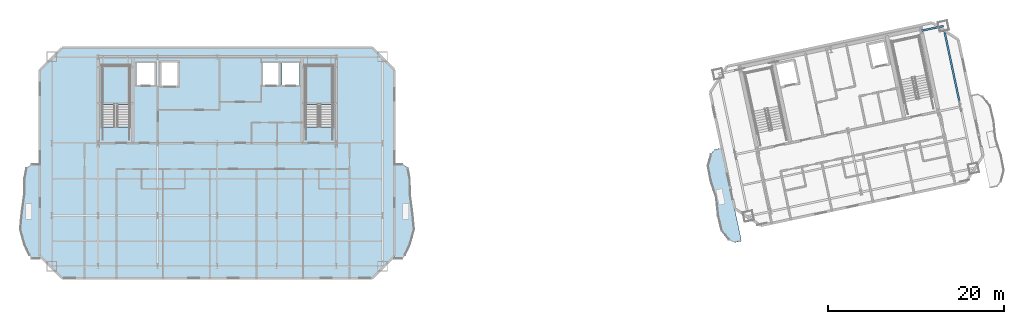
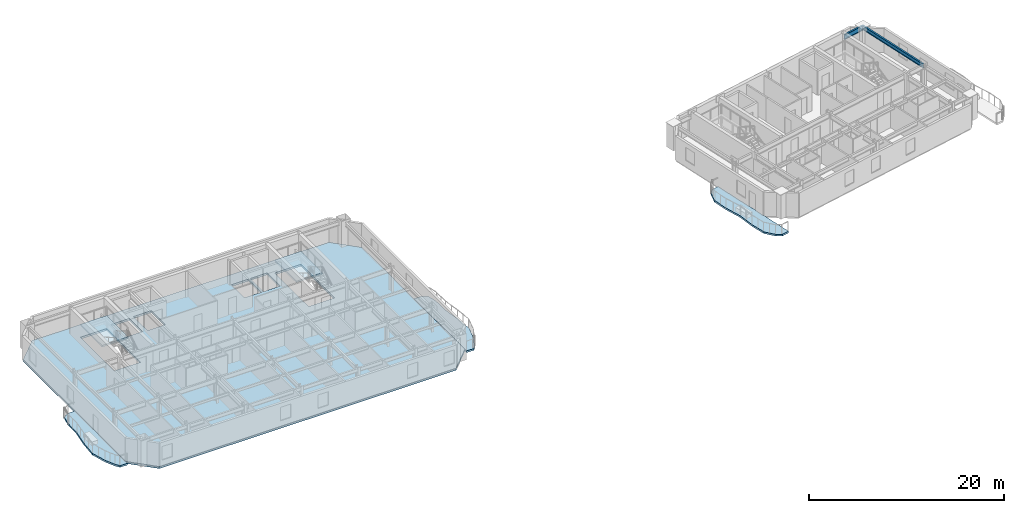
# One storey, part 4 of 14: 6 slabs, 2 beams, 2 elements without a shape of their own.
"""IFC4 building model written with IfcOpenShell, lengths in metres."""

from ifc_helpers import new_model, si_unit, direction, frame, origin, origin_2d, place, context, subcontext, project, spatial, polyline, i_section, outline, extrude, material, layer, layer_set, material_profile, profile_set, type_object, element, aggregate, save


model = new_model("IFC4")

# Units and contexts
model_context = context("Model", 3, precision=1e-05, world=origin(), true_north=direction((0.0, 1.0)))
body_context = subcontext(model_context, "Body", "Model", "MODEL_VIEW")
ifc_project = project(units=[si_unit("LENGTHUNIT", "METRE"), si_unit("AREAUNIT", "SQUARE_METRE"), si_unit("VOLUMEUNIT", "CUBIC_METRE"), si_unit("PLANEANGLEUNIT", "RADIAN"), si_unit("MASSUNIT", "GRAM", prefix="KILO")], contexts=[model_context])

# Site, building, storey
site_placement = place(None, origin())
site = spatial("IfcSite", under=ifc_project, at=site_placement, CompositionType="ELEMENT")
building_placement = place(site_placement, origin())
building = spatial("IfcBuilding", under=site, at=building_placement, Name="Haevon Station Towers", CompositionType="ELEMENT")
storey_placement = place(building_placement, frame((0.0, 0.0, 231.89990234375)))
storey = spatial("IfcBuildingStorey", under=building, at=storey_placement, Name="L64", CompositionType="ELEMENT", Elevation=231.89990234375)

# Beams
ifc_material_1 = material(Name="Steel S355", Category="steel")
ifc_material_profile_1 = material_profile(ifc_material_1, i_section(OverallWidth=0.199951171875, OverallDepth=0.60009765625, WebThickness=0.010986328125, FlangeThickness=0.01708984375, at=origin_2d()), Name="H-600x200x11x17")
ifc_profile_set_1 = profile_set([ifc_material_profile_1], Name="Steel S355")
beam_type_1 = type_object("IfcBeamType", Name="BM-G600", PredefinedType="BEAM", material=ifc_profile_set_1)
beam_1_placement = place(storey_placement, frame((117.349365234375, 50.954345703125, 2.75), z_axis=(0.978161040728, 0.207848450565, 0.0), x_axis=(-0.207848450565, 0.978161040728, 0.0)))
element("IfcBeam", 1, at=beam_1_placement, inside=storey, type_object=beam_type_1, Name="BM-T2U-L64-03-04", PredefinedType="BEAM", context=body_context, shape_type="SweptSolid", body=[
    extrude(i_section(OverallWidth=0.199951171875, OverallDepth=0.60009765625, WebThickness=0.010986328125, FlangeThickness=0.01708984375, at=origin_2d()), origin(), (0.0, 0.0, 1.0), 2.550048828125),
])
ifc_material_profile_2 = material_profile(ifc_material_1, i_section(OverallWidth=0.199951171875, OverallDepth=0.5, WebThickness=0.010009765625, FlangeThickness=0.01611328125, at=origin_2d()), Name="H-500x200x10x16")
ifc_profile_set_2 = profile_set([ifc_material_profile_2], Name="Steel S355")
beam_type_2 = type_object("IfcBeamType", Name="BM-SP500", PredefinedType="SPANDREL", material=ifc_profile_set_2)
beam_2_placement = place(storey_placement, frame((121.787841796875, 42.338623046875, 2.800048828125), z_axis=(-0.207922149488, 0.978145377616, 0.0), x_axis=(-0.978145377616, -0.207922149488, 0.0)))
element("IfcBeam", 2, at=beam_2_placement, inside=storey, type_object=beam_type_2, Name="BM-T2V-L64-05-02", PredefinedType="SPANDREL", context=body_context, shape_type="SweptSolid", body=[
    extrude(i_section(OverallWidth=0.199951171875, OverallDepth=0.5, WebThickness=0.010009765625, FlangeThickness=0.01611328125, at=origin_2d()), origin(), (0.0, 0.0, 1.0), 9.35009765625),
])

# Slabs
ifc_material_2 = material(Name="Concrete C40/50", Category="concrete")
ifc_layer_1 = layer(ifc_material_2, 0.219970703125)
ifc_layer_set_1 = layer_set([ifc_layer_1], Name="Concrete C40/50")
slab_type_1 = type_object("IfcSlabType", Name="SL-BALC220", PredefinedType="FLOOR", material=ifc_layer_set_1)
slab_1_placement = place(storey_placement, frame((0.0, 0.0, -0.219970703125)))
element("IfcSlab", 3, at=slab_1_placement, inside=storey, type_object=slab_type_1, Name="Tower 1 L64 West SCALLOPED BALCONY", PredefinedType="FLOOR", context=body_context, shape_type="SweptSolid", body=[
    extrude(outline(polyline([(17.39501953125, 35.85009765625), (16.512939453125, 35.85009765625), (15.884033203125, 35.43896484375), (15.65185546875, 34.268310546875), (15.63037109375, 32.5166015625), (15.294921875, 30.449951171875), (15.145263671875, 28.383544921875), (15.65185546875, 26.631591796875), (16.209716796875, 25.4609375), (16.512939453125, 25.050048828125), (17.39501953125, 25.050048828125), (17.39501953125, 35.85009765625)])), origin(), (0.0, 0.0, 1.0), 0.219970703125),
])
slab_2_placement = place(storey_placement, frame((0.0, 0.0, -0.219970703125)))
element("IfcSlab", 4, at=slab_2_placement, inside=storey, type_object=slab_type_1, Name="Tower 1 L64 East SCALLOPED BALCONY", PredefinedType="FLOOR", context=body_context, shape_type="SweptSolid", body=[
    extrude(outline(polyline([(57.60498046875, 25.050048828125), (58.487060546875, 25.050048828125), (58.790283203125, 25.4609375), (59.34814453125, 26.631591796875), (59.854736328125, 28.383544921875), (59.705078125, 30.449951171875), (59.36962890625, 32.5166015625), (59.34814453125, 34.268310546875), (59.115966796875, 35.43896484375), (58.487060546875, 35.85009765625), (57.60498046875, 35.85009765625), (57.60498046875, 25.050048828125)])), origin(), (0.0, 0.0, 1.0), 0.219970703125),
])
slab_3_placement = place(storey_placement, frame((0.0, 0.0, -0.219970703125)))
element("IfcSlab", 5, at=slab_3_placement, inside=storey, type_object=slab_type_1, Name="Tower 2 L64 West SCALLOPED BALCONY", PredefinedType="FLOOR", context=body_context, shape_type="SweptSolid", body=[
    extrude(outline(polyline([(94.71337890625, 37.662353515625), (93.8818359375, 37.48583984375), (93.480224609375, 36.980224609375), (93.130859375, 35.709228515625), (93.44287109375, 33.984375), (94.0302734375, 31.99658203125), (94.30224609375, 29.94189453125), (94.71875, 28.2392578125), (95.5546875, 27.22021484375), (96.12744140625, 26.921630859375), (96.958740234375, 27.098388671875), (94.71337890625, 37.662353515625)])), origin(), (0.0, 0.0, 1.0), 0.219970703125),
])

# Stair, slab
stair_type = type_object("IfcStairType", Name="STR-DL1450", PredefinedType="USERDEFINED", material=ifc_material_2)
stair_1_placement = place(storey_placement, origin())
stair_1 = element("IfcStair", 6, at=stair_1_placement, inside=storey, type_object=stair_type, Name="L64 Escape Stair ST1", ObjectType="TWO_RETURN_STAIR", PredefinedType="USERDEFINED")
ifc_layer_2 = layer(ifc_material_2, 0.199951171875)
ifc_layer_set_2 = layer_set([ifc_layer_2], Name="Concrete C40/50")
slab_type_2 = type_object("IfcSlabType", Name="SL-LND200", PredefinedType="LANDING", material=ifc_layer_set_2)
slab_4_placement = place(storey_placement, frame((0.0, 0.0, 1.4501953125)))
slab_4 = element("IfcSlab", 7, at=slab_4_placement, type_object=slab_type_2, Name="L64 ST1 Half Landing 1", PredefinedType="LANDING", context=body_context, shape_type="SweptSolid", body=[
    extrude(outline(polyline([(27.580078125, 42.56396484375), (27.580078125, 47.0), (24.47998046875, 47.0), (24.47998046875, 42.56396484375), (27.580078125, 42.56396484375)])), origin(), (0.0, 0.0, 1.0), 0.199951171875),
])
aggregate(stair_1, [slab_4])

stair_2_placement = place(storey_placement, origin())
stair_2 = element("IfcStair", 8, at=stair_2_placement, inside=storey, type_object=stair_type, Name="L64 Escape Stair ST2", ObjectType="TWO_RETURN_STAIR", PredefinedType="USERDEFINED")
slab_5_placement = place(storey_placement, frame((0.0, 0.0, 1.4501953125)))
slab_5 = element("IfcSlab", 9, at=slab_5_placement, type_object=slab_type_2, Name="L64 ST2 Half Landing 1", PredefinedType="LANDING", context=body_context, shape_type="SweptSolid", body=[
    extrude(outline(polyline([(50.6201171875, 42.56396484375), (50.6201171875, 47.0), (47.52001953125, 47.0), (47.52001953125, 42.56396484375), (50.6201171875, 42.56396484375)])), origin(), (0.0, 0.0, 1.0), 0.199951171875),
])
aggregate(stair_2, [slab_5])

# Slab
ifc_layer_3 = layer(ifc_material_2, 0.25)
ifc_layer_set_3 = layer_set([ifc_layer_3], Name="Concrete C40/50")
slab_type_3 = type_object("IfcSlabType", Name="SL-TW250", PredefinedType="FLOOR", material=ifc_layer_set_3)
slab_6_placement = place(storey_placement, frame((0.0, 0.0, -0.25)))
element("IfcSlab", 10, at=slab_6_placement, inside=storey, type_object=slab_type_3, Name="SL-T1-L64", PredefinedType="FLOOR", context=body_context, shape_type="SweptSolid", body=[
    extrude(outline(polyline([(19.89990234375, 22.89990234375), (55.10009765625, 22.89990234375), (57.60009765625, 25.39990234375), (57.60009765625, 46.5), (55.10009765625, 49.0), (19.89990234375, 49.0), (17.39990234375, 46.5), (17.39990234375, 25.39990234375), (19.89990234375, 22.89990234375)]), holes=[polyline([(27.580078125, 40.055908203125), (27.580078125, 47.0), (24.47998046875, 47.0), (24.47998046875, 40.055908203125), (27.580078125, 40.055908203125)]), polyline([(50.6201171875, 40.055908203125), (50.6201171875, 47.0), (47.52001953125, 47.0), (47.52001953125, 40.055908203125), (50.6201171875, 40.055908203125)]), polyline([(28.300048828125, 44.699951171875), (30.5, 44.699951171875), (30.5, 47.39990234375), (28.300048828125, 47.39990234375), (28.300048828125, 44.699951171875)]), polyline([(31.050048828125, 44.60009765625), (33.14990234375, 44.60009765625), (33.14990234375, 47.5), (31.050048828125, 47.5), (31.050048828125, 44.60009765625)]), polyline([(42.60009765625, 44.699951171875), (44.60009765625, 44.699951171875), (44.60009765625, 47.39990234375), (42.60009765625, 47.39990234375), (42.60009765625, 44.699951171875)]), polyline([(44.85009765625, 44.699951171875), (46.85009765625, 44.699951171875), (46.85009765625, 47.39990234375), (44.85009765625, 47.39990234375), (44.85009765625, 44.699951171875)])]), origin(), (0.0, 0.0, 1.0), 0.25),
])

save(model, "model.ifc")
